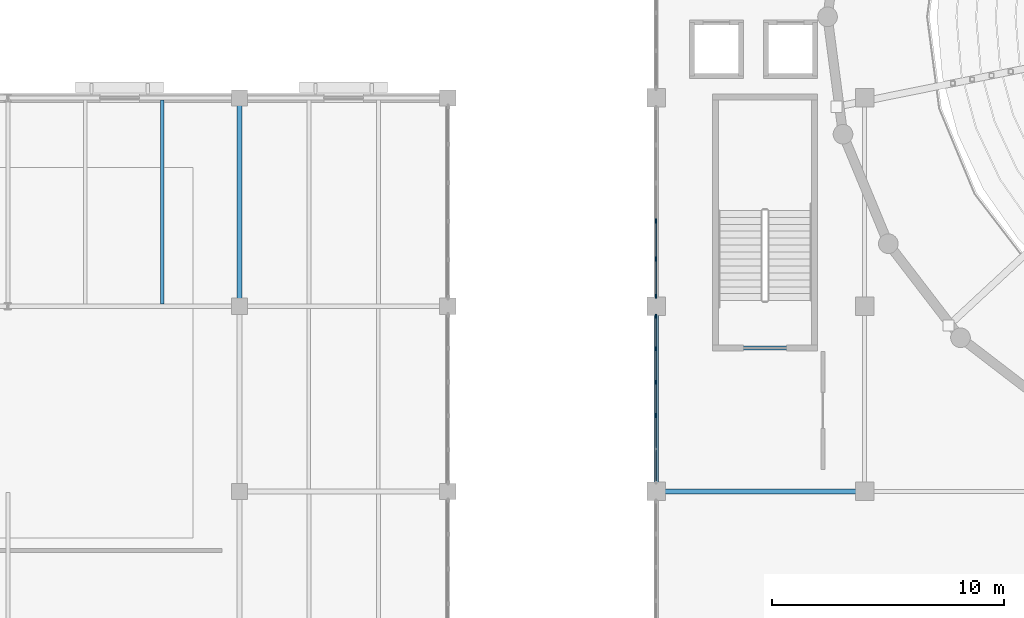
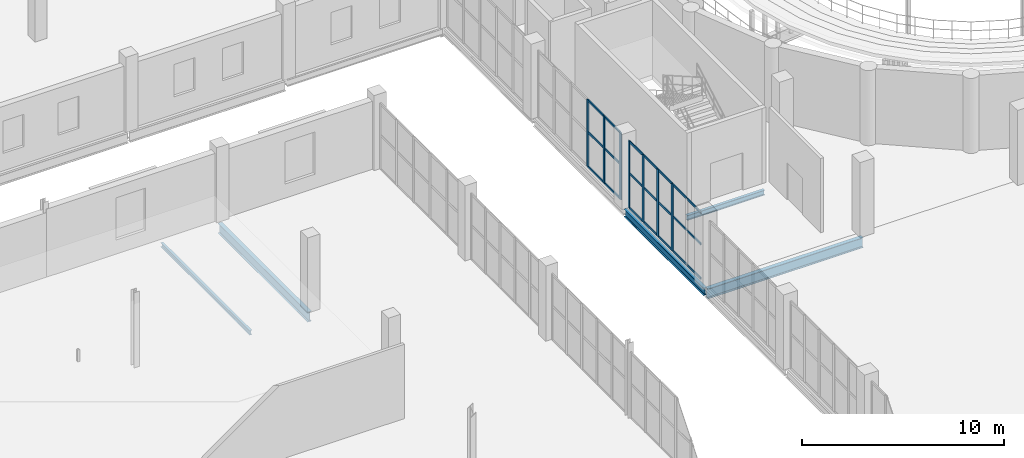
# One storey, part 28 of 93: 28 members, 5 beams, 2 elements without a shape of their own.
"""IFC4 building model written with IfcOpenShell, lengths in metres."""

from ifc_helpers import new_model, si_unit, direction, frame, origin, origin_2d, place, context, subcontext, project, spatial, rectangle, i_section, extrude, material, layer, layer_set, material_profile, profile_set, type_object, element, aggregate, save


model = new_model("IFC4")

# Units and contexts
model_context = context("Model", 3, precision=1e-05, world=origin(), true_north=direction((0.0, 1.0)))
body_context = subcontext(model_context, "Body", "Model", "MODEL_VIEW")
ifc_project = project(units=[si_unit("LENGTHUNIT", "METRE"), si_unit("AREAUNIT", "SQUARE_METRE"), si_unit("VOLUMEUNIT", "CUBIC_METRE"), si_unit("PLANEANGLEUNIT", "RADIAN"), si_unit("MASSUNIT", "GRAM", prefix="KILO")], contexts=[model_context])

# Site, building, storey
site_placement = place(None, origin())
site = spatial("IfcSite", under=ifc_project, at=site_placement, CompositionType="ELEMENT")
building_placement = place(site_placement, origin())
building = spatial("IfcBuilding", under=site, at=building_placement, Name="Marnock Terrace Opera House", CompositionType="ELEMENT")
storey_placement = place(building_placement, frame((0.0, 0.0, 5.39990234375)))
storey = spatial("IfcBuildingStorey", under=building, at=storey_placement, Name="L01", CompositionType="ELEMENT", Elevation=5.39990234375)

# Beams
ifc_material_1 = material(Name="Steel Grade 350 (AS/NZS 3679.1)", Category="steel")
ifc_material_profile_1 = material_profile(ifc_material_1, i_section(OverallWidth=0.18994140625, OverallDepth=0.45751953125, WebThickness=0.009033203125, FlangeThickness=0.014404296875, FilletRadius=0.011474609375, at=origin_2d()))
ifc_profile_set_1 = profile_set([ifc_material_profile_1], Name="Steel Grade 350 (AS/NZS 3679.1)")
beam_type_1 = type_object("IfcBeamType", Name="BM-GIRD-460B", PredefinedType="BEAM", material=ifc_profile_set_1)
beam_1_placement = place(storey_placement, frame((55.0, 40.050048828125, -0.508544921875), z_axis=(0.0, 1.0, 0.0), x_axis=(-1.0, 0.0, 0.0)))
element("IfcBeam", 1, at=beam_1_placement, inside=storey, type_object=beam_type_1, Name="L01 girder (X=55.0, 40.0..48.0)", PredefinedType="BEAM", context=body_context, shape_type="SweptSolid", body=[
    extrude(i_section(OverallWidth=0.18994140625, OverallDepth=0.45751953125, WebThickness=0.009033203125, FlangeThickness=0.014404296875, FilletRadius=0.011474609375, at=origin_2d()), origin(), (0.0, 0.0, 1.0), 7.89990234375),
])
ifc_material_profile_2 = material_profile(ifc_material_1, i_section(OverallWidth=0.22900390625, OverallDepth=0.611572265625, WebThickness=0.011962890625, FlangeThickness=0.01953125, FilletRadius=0.013916015625, at=origin_2d()))
ifc_profile_set_2 = profile_set([ifc_material_profile_2], Name="Steel Grade 350 (AS/NZS 3679.1)")
beam_type_2 = type_object("IfcBeamType", Name="BM-GIRD-610A", PredefinedType="BEAM", material=ifc_profile_set_2)
beam_2_placement = place(storey_placement, frame((55.050048828125, 40.0, -0.585693359375), z_axis=(1.0, 0.0, 0.0), x_axis=(0.0, 1.0, 0.0)))
element("IfcBeam", 2, at=beam_2_placement, inside=storey, type_object=beam_type_2, Name="L01 girder (55.0..64.0, Y=40.0)", PredefinedType="BEAM", context=body_context, shape_type="SweptSolid", body=[
    extrude(i_section(OverallWidth=0.22900390625, OverallDepth=0.611572265625, WebThickness=0.011962890625, FlangeThickness=0.01953125, FilletRadius=0.013916015625, at=origin_2d()), origin(), (0.0, 0.0, 1.0), 8.89990234375),
])
ifc_material_profile_3 = material_profile(ifc_material_1, i_section(OverallWidth=0.22802734375, OverallDepth=0.60205078125, WebThickness=0.010498046875, FlangeThickness=0.014892578125, FilletRadius=0.013916015625, at=origin_2d()))
ifc_profile_set_3 = profile_set([ifc_material_profile_3], Name="Steel Grade 350 (AS/NZS 3679.1)")
beam_type_3 = type_object("IfcBeamType", Name="BM-GIRD-610C", PredefinedType="BEAM", material=ifc_profile_set_3)
beam_3_placement = place(storey_placement, frame((37.0, 48.050048828125, -0.580810546875), z_axis=(0.0, 1.0, 0.0), x_axis=(-1.0, 0.0, 0.0)))
element("IfcBeam", 3, at=beam_3_placement, inside=storey, type_object=beam_type_3, Name="L01 girder (X=37.0, 48.0..57.0)", PredefinedType="BEAM", context=body_context, shape_type="SweptSolid", body=[
    extrude(i_section(OverallWidth=0.22802734375, OverallDepth=0.60205078125, WebThickness=0.010498046875, FlangeThickness=0.014892578125, FilletRadius=0.013916015625, at=origin_2d()), origin(), (0.0, 0.0, 1.0), 8.89990234375),
])
ifc_material_profile_4 = material_profile(ifc_material_1, i_section(OverallWidth=0.14599609375, OverallDepth=0.256103515625, WebThickness=0.00634765625, FlangeThickness=0.010986328125, FilletRadius=0.0087890625, at=origin_2d()))
ifc_profile_set_4 = profile_set([ifc_material_profile_4], Name="Steel Grade 350 (AS/NZS 3679.1)")
beam_type_4 = type_object("IfcBeamType", Name="BM-JOIST-250", PredefinedType="JOIST", material=ifc_profile_set_4)
beam_4_placement = place(storey_placement, frame((33.666748046875, 48.090576171875, -0.407958984375), z_axis=(0.0, 1.0, 0.0), x_axis=(-1.0, 0.0, 0.0)))
element("IfcBeam", 4, at=beam_4_placement, inside=storey, type_object=beam_type_4, Name="L01 secondary joist 3.6.2", PredefinedType="JOIST", context=body_context, shape_type="SweptSolid", body=[
    extrude(i_section(OverallWidth=0.14599609375, OverallDepth=0.256103515625, WebThickness=0.00634765625, FlangeThickness=0.010986328125, FilletRadius=0.0087890625, at=origin_2d()), origin(), (0.0, 0.0, 1.0), 8.825439453125),
])
ifc_material_profile_5 = material_profile(ifc_material_1, i_section(OverallWidth=0.166015625, OverallDepth=0.30712890625, WebThickness=0.006591796875, FlangeThickness=0.01171875, FilletRadius=0.011474609375, at=origin_2d()))
ifc_profile_set_5 = profile_set([ifc_material_profile_5], Name="Steel Grade 350 (AS/NZS 3679.1)")
beam_type_5 = type_object("IfcBeamType", Name="BM-LINT-310", PredefinedType="LINTEL", material=ifc_profile_set_5)
beam_5_placement = place(storey_placement, frame((57.47998046875, 46.199951171875, -0.6298828125), z_axis=(1.0, 0.0, 0.0), x_axis=(0.0, 1.0, 0.0)))
element("IfcBeam", 5, at=beam_5_placement, inside=storey, type_object=beam_type_5, Name="L00 Core C1 coupling lintel", PredefinedType="LINTEL", context=body_context, shape_type="SweptSolid", body=[
    extrude(i_section(OverallWidth=0.166015625, OverallDepth=0.30712890625, WebThickness=0.006591796875, FlangeThickness=0.01171875, FilletRadius=0.011474609375, at=origin_2d()), origin(), (0.0, 0.0, 1.0), 4.43994140625),
])

# Curtain wall, members
ifc_material_2 = material(Name="Anodised architectural bronze aluminium framing", Category="aluminium")
ifc_layer_1 = layer(ifc_material_2, 0.159912109375)
ifc_layer_set_1 = layer_set([ifc_layer_1], Name="Anodised architectural bronze aluminium framing")
curtain_wall_type_1 = type_object("IfcCurtainWallType", Name="CW-FOYER-80x45", PredefinedType="NOTDEFINED", material=ifc_layer_set_1)
curtain_wall_1_placement = place(storey_placement, origin())
curtain_wall_1 = element("IfcCurtainWall", 6, at=curtain_wall_1_placement, inside=storey, type_object=curtain_wall_type_1, Name="L01 glazed Beaux-Arts colonnade curtain wall CW-V1W-L01-05", PredefinedType="NOTDEFINED")
ifc_material_profile_6 = material_profile(ifc_material_2, rectangle(XDim=0.06494140625, YDim=0.179931640625, at=origin_2d()))
ifc_profile_set_6 = profile_set([ifc_material_profile_6], Name="Anodised architectural bronze aluminium framing")
member_type_1 = type_object("IfcMemberType", Name="CWM-65x180", PredefinedType="MULLION", material=ifc_profile_set_6)
member_1_placement = place(storey_placement, frame((55.0, 43.279296875, 0.0), z_axis=(0.0, 0.0, 1.0), x_axis=(-1.0, 0.0, 0.0)))
member_1 = element("IfcMember", 7, at=member_1_placement, type_object=member_type_1, Name="CW-87 mullion 3", PredefinedType="MULLION", context=body_context, shape_type="SweptSolid", body=[
    extrude(rectangle(XDim=0.06494140625, YDim=0.179931640625, at=origin_2d()), origin(), (0.0, 0.0, 1.0), 4.052734375),
])
member_2_placement = place(storey_placement, frame((55.0, 44.720703125, 0.0), z_axis=(0.0, 0.0, 1.0), x_axis=(-1.0, 0.0, 0.0)))
member_2 = element("IfcMember", 8, at=member_2_placement, type_object=member_type_1, Name="CW-87 mullion 4", PredefinedType="MULLION", context=body_context, shape_type="SweptSolid", body=[
    extrude(rectangle(XDim=0.06494140625, YDim=0.179931640625, at=origin_2d()), origin(), (0.0, 0.0, 1.0), 4.052734375),
])
member_3_placement = place(storey_placement, frame((55.0, 46.162353515625, 0.0), z_axis=(0.0, 0.0, 1.0), x_axis=(-1.0, 0.0, 0.0)))
member_3 = element("IfcMember", 9, at=member_3_placement, type_object=member_type_1, Name="CW-87 mullion 5", PredefinedType="MULLION", context=body_context, shape_type="SweptSolid", body=[
    extrude(rectangle(XDim=0.06494140625, YDim=0.179931640625, at=origin_2d()), origin(), (0.0, 0.0, 1.0), 4.052734375),
])
member_4_placement = place(storey_placement, frame((55.0, 47.573974609375, 0.0), z_axis=(0.0, 0.0, 1.0), x_axis=(-1.0, 0.0, 0.0)))
member_4 = element("IfcMember", 10, at=member_4_placement, type_object=member_type_1, Name="CW-87 mullion 6", PredefinedType="MULLION", context=body_context, shape_type="SweptSolid", body=[
    extrude(rectangle(XDim=0.06494140625, YDim=0.179931640625, at=origin_2d()), origin(), (0.0, 0.0, 1.0), 4.052734375),
])

ifc_layer_2 = layer(ifc_material_2, 0.159912109375)
ifc_layer_set_2 = layer_set([ifc_layer_2], Name="Anodised architectural bronze aluminium framing")
curtain_wall_type_2 = type_object("IfcCurtainWallType", Name="CW-FOYER-90x45", PredefinedType="NOTDEFINED", material=ifc_layer_set_2)
curtain_wall_2_placement = place(storey_placement, origin())
curtain_wall_2 = element("IfcCurtainWall", 11, at=curtain_wall_2_placement, inside=storey, type_object=curtain_wall_type_2, Name="L01 glazed Beaux-Arts colonnade curtain wall CW-V1W-L01-06", PredefinedType="NOTDEFINED")
member_5_placement = place(storey_placement, frame((55.0, 48.426025390625, 0.0), z_axis=(0.0, 0.0, 1.0), x_axis=(-1.0, 0.0, 0.0)))
member_5 = element("IfcMember", 12, at=member_5_placement, type_object=member_type_1, Name="CW-27 mullion 1", PredefinedType="MULLION", context=body_context, shape_type="SweptSolid", body=[
    extrude(rectangle(XDim=0.06494140625, YDim=0.179931640625, at=origin_2d()), origin(), (0.0, 0.0, 1.0), 4.052734375),
])
member_6_placement = place(storey_placement, frame((55.0, 50.03759765625, 0.0), z_axis=(0.0, 0.0, 1.0), x_axis=(-1.0, 0.0, 0.0)))
member_6 = element("IfcMember", 13, at=member_6_placement, type_object=member_type_1, Name="CW-27 mullion 2", PredefinedType="MULLION", context=body_context, shape_type="SweptSolid", body=[
    extrude(rectangle(XDim=0.06494140625, YDim=0.179931640625, at=origin_2d()), origin(), (0.0, 0.0, 1.0), 4.052734375),
])
member_7_placement = place(storey_placement, frame((55.0, 51.67919921875, 0.0), z_axis=(0.0, 0.0, 1.0), x_axis=(-1.0, 0.0, 0.0)))
member_7 = element("IfcMember", 14, at=member_7_placement, type_object=member_type_1, Name="CW-27 mullion 3", PredefinedType="MULLION", context=body_context, shape_type="SweptSolid", body=[
    extrude(rectangle(XDim=0.06494140625, YDim=0.179931640625, at=origin_2d()), origin(), (0.0, 0.0, 1.0), 4.052734375),
])

# Member
ifc_material_profile_7 = material_profile(ifc_material_2, rectangle(XDim=0.06005859375, YDim=0.1298828125, at=origin_2d()))
ifc_profile_set_7 = profile_set([ifc_material_profile_7], Name="Anodised architectural bronze aluminium framing")
member_type_2 = type_object("IfcMemberType", Name="CWT-60x130", PredefinedType="USERDEFINED", material=ifc_profile_set_7)
member_8_placement = place(storey_placement, frame((55.0, 40.4560546875, 0.030029296875), z_axis=(0.0, 1.0, 0.0), x_axis=(-1.0, 0.0, 0.0)))
member_8 = element("IfcMember", 15, at=member_8_placement, type_object=member_type_2, Name="CW-87 transom 1.1", ObjectType="TRANSOM", PredefinedType="USERDEFINED", context=body_context, shape_type="SweptSolid", body=[
    extrude(rectangle(XDim=0.06005859375, YDim=0.1298828125, at=origin_2d()), origin(), (0.0, 0.0, 1.0), 1.3515625),
])

member_9_placement = place(storey_placement, frame((55.0, 40.4560546875, 2.107421875), z_axis=(0.0, 1.0, 0.0), x_axis=(-1.0, 0.0, 0.0)))
member_9 = element("IfcMember", 16, at=member_9_placement, type_object=member_type_2, Name="CW-87 transom 1.2", ObjectType="TRANSOM", PredefinedType="USERDEFINED", context=body_context, shape_type="SweptSolid", body=[
    extrude(rectangle(XDim=0.06005859375, YDim=0.1298828125, at=origin_2d()), origin(), (0.0, 0.0, 1.0), 1.3515625),
])

member_10_placement = place(storey_placement, frame((55.0, 40.4560546875, 4.022705078125), z_axis=(0.0, 1.0, 0.0), x_axis=(-1.0, 0.0, 0.0)))
member_10 = element("IfcMember", 17, at=member_10_placement, type_object=member_type_2, Name="CW-87 transom 1.3", ObjectType="TRANSOM", PredefinedType="USERDEFINED", context=body_context, shape_type="SweptSolid", body=[
    extrude(rectangle(XDim=0.06005859375, YDim=0.1298828125, at=origin_2d()), origin(), (0.0, 0.0, 1.0), 1.3515625),
])

member_11_placement = place(storey_placement, frame((55.0, 41.86767578125, 0.030029296875), z_axis=(0.0, 1.0, 0.0), x_axis=(-1.0, 0.0, 0.0)))
member_11 = element("IfcMember", 18, at=member_11_placement, type_object=member_type_2, Name="CW-87 transom 2.1", ObjectType="TRANSOM", PredefinedType="USERDEFINED", context=body_context, shape_type="SweptSolid", body=[
    extrude(rectangle(XDim=0.06005859375, YDim=0.1298828125, at=origin_2d()), origin(), (0.0, 0.0, 1.0), 1.381591796875),
])

member_12_placement = place(storey_placement, frame((55.0, 41.86767578125, 2.107421875), z_axis=(0.0, 1.0, 0.0), x_axis=(-1.0, 0.0, 0.0)))
member_12 = element("IfcMember", 19, at=member_12_placement, type_object=member_type_2, Name="CW-87 transom 2.2", ObjectType="TRANSOM", PredefinedType="USERDEFINED", context=body_context, shape_type="SweptSolid", body=[
    extrude(rectangle(XDim=0.06005859375, YDim=0.1298828125, at=origin_2d()), origin(), (0.0, 0.0, 1.0), 1.381591796875),
])

member_13_placement = place(storey_placement, frame((55.0, 41.86767578125, 4.022705078125), z_axis=(0.0, 1.0, 0.0), x_axis=(-1.0, 0.0, 0.0)))
member_13 = element("IfcMember", 20, at=member_13_placement, type_object=member_type_2, Name="CW-87 transom 2.3", ObjectType="TRANSOM", PredefinedType="USERDEFINED", context=body_context, shape_type="SweptSolid", body=[
    extrude(rectangle(XDim=0.06005859375, YDim=0.1298828125, at=origin_2d()), origin(), (0.0, 0.0, 1.0), 1.381591796875),
])

member_14_placement = place(storey_placement, frame((55.0, 43.30908203125, 0.030029296875), z_axis=(0.0, 1.0, 0.0), x_axis=(-1.0, 0.0, 0.0)))
member_14 = element("IfcMember", 21, at=member_14_placement, type_object=member_type_2, Name="CW-87 transom 3.1", ObjectType="TRANSOM", PredefinedType="USERDEFINED", context=body_context, shape_type="SweptSolid", body=[
    extrude(rectangle(XDim=0.06005859375, YDim=0.1298828125, at=origin_2d()), origin(), (0.0, 0.0, 1.0), 1.3818359375),
])

member_15_placement = place(storey_placement, frame((55.0, 43.30908203125, 2.107421875), z_axis=(0.0, 1.0, 0.0), x_axis=(-1.0, 0.0, 0.0)))
member_15 = element("IfcMember", 22, at=member_15_placement, type_object=member_type_2, Name="CW-87 transom 3.2", ObjectType="TRANSOM", PredefinedType="USERDEFINED", context=body_context, shape_type="SweptSolid", body=[
    extrude(rectangle(XDim=0.06005859375, YDim=0.1298828125, at=origin_2d()), origin(), (0.0, 0.0, 1.0), 1.3818359375),
])

member_16_placement = place(storey_placement, frame((55.0, 43.30908203125, 4.022705078125), z_axis=(0.0, 1.0, 0.0), x_axis=(-1.0, 0.0, 0.0)))
member_16 = element("IfcMember", 23, at=member_16_placement, type_object=member_type_2, Name="CW-87 transom 3.3", ObjectType="TRANSOM", PredefinedType="USERDEFINED", context=body_context, shape_type="SweptSolid", body=[
    extrude(rectangle(XDim=0.06005859375, YDim=0.1298828125, at=origin_2d()), origin(), (0.0, 0.0, 1.0), 1.3818359375),
])

member_17_placement = place(storey_placement, frame((55.0, 44.750732421875, 0.030029296875), z_axis=(0.0, 1.0, 0.0), x_axis=(-1.0, 0.0, 0.0)))
member_17 = element("IfcMember", 24, at=member_17_placement, type_object=member_type_2, Name="CW-87 transom 4.1", ObjectType="TRANSOM", PredefinedType="USERDEFINED", context=body_context, shape_type="SweptSolid", body=[
    extrude(rectangle(XDim=0.06005859375, YDim=0.1298828125, at=origin_2d()), origin(), (0.0, 0.0, 1.0), 1.381591796875),
])

member_18_placement = place(storey_placement, frame((55.0, 44.750732421875, 2.107421875), z_axis=(0.0, 1.0, 0.0), x_axis=(-1.0, 0.0, 0.0)))
member_18 = element("IfcMember", 25, at=member_18_placement, type_object=member_type_2, Name="CW-87 transom 4.2", ObjectType="TRANSOM", PredefinedType="USERDEFINED", context=body_context, shape_type="SweptSolid", body=[
    extrude(rectangle(XDim=0.06005859375, YDim=0.1298828125, at=origin_2d()), origin(), (0.0, 0.0, 1.0), 1.381591796875),
])

member_19_placement = place(storey_placement, frame((55.0, 44.750732421875, 4.022705078125), z_axis=(0.0, 1.0, 0.0), x_axis=(-1.0, 0.0, 0.0)))
member_19 = element("IfcMember", 26, at=member_19_placement, type_object=member_type_2, Name="CW-87 transom 4.3", ObjectType="TRANSOM", PredefinedType="USERDEFINED", context=body_context, shape_type="SweptSolid", body=[
    extrude(rectangle(XDim=0.06005859375, YDim=0.1298828125, at=origin_2d()), origin(), (0.0, 0.0, 1.0), 1.381591796875),
])

member_20_placement = place(storey_placement, frame((55.0, 46.1923828125, 0.030029296875), z_axis=(0.0, 1.0, 0.0), x_axis=(-1.0, 0.0, 0.0)))
member_20 = element("IfcMember", 27, at=member_20_placement, type_object=member_type_2, Name="CW-87 transom 5.1", ObjectType="TRANSOM", PredefinedType="USERDEFINED", context=body_context, shape_type="SweptSolid", body=[
    extrude(rectangle(XDim=0.06005859375, YDim=0.1298828125, at=origin_2d()), origin(), (0.0, 0.0, 1.0), 1.3515625),
])

member_21_placement = place(storey_placement, frame((55.0, 46.1923828125, 2.107421875), z_axis=(0.0, 1.0, 0.0), x_axis=(-1.0, 0.0, 0.0)))
member_21 = element("IfcMember", 28, at=member_21_placement, type_object=member_type_2, Name="CW-87 transom 5.2", ObjectType="TRANSOM", PredefinedType="USERDEFINED", context=body_context, shape_type="SweptSolid", body=[
    extrude(rectangle(XDim=0.06005859375, YDim=0.1298828125, at=origin_2d()), origin(), (0.0, 0.0, 1.0), 1.3515625),
])

member_22_placement = place(storey_placement, frame((55.0, 46.1923828125, 4.022705078125), z_axis=(0.0, 1.0, 0.0), x_axis=(-1.0, 0.0, 0.0)))
member_22 = element("IfcMember", 29, at=member_22_placement, type_object=member_type_2, Name="CW-87 transom 5.3", ObjectType="TRANSOM", PredefinedType="USERDEFINED", context=body_context, shape_type="SweptSolid", body=[
    extrude(rectangle(XDim=0.06005859375, YDim=0.1298828125, at=origin_2d()), origin(), (0.0, 0.0, 1.0), 1.3515625),
])

aggregate(curtain_wall_1, [member_1, member_2, member_3, member_4, member_8, member_9, member_10, member_11, member_12, member_13, member_14, member_15, member_16, member_17, member_18, member_19, member_20, member_21, member_22])

member_23_placement = place(storey_placement, frame((55.0, 48.4560546875, 0.030029296875), z_axis=(0.0, 1.0, 0.0), x_axis=(-1.0, 0.0, 0.0)))
member_23 = element("IfcMember", 30, at=member_23_placement, type_object=member_type_2, Name="CW-27 transom 1.1", ObjectType="TRANSOM", PredefinedType="USERDEFINED", context=body_context, shape_type="SweptSolid", body=[
    extrude(rectangle(XDim=0.06005859375, YDim=0.1298828125, at=origin_2d()), origin(), (0.0, 0.0, 1.0), 1.551513671875),
])

member_24_placement = place(storey_placement, frame((55.0, 48.4560546875, 2.107421875), z_axis=(0.0, 1.0, 0.0), x_axis=(-1.0, 0.0, 0.0)))
member_24 = element("IfcMember", 31, at=member_24_placement, type_object=member_type_2, Name="CW-27 transom 1.2", ObjectType="TRANSOM", PredefinedType="USERDEFINED", context=body_context, shape_type="SweptSolid", body=[
    extrude(rectangle(XDim=0.06005859375, YDim=0.1298828125, at=origin_2d()), origin(), (0.0, 0.0, 1.0), 1.551513671875),
])

member_25_placement = place(storey_placement, frame((55.0, 48.4560546875, 4.022705078125), z_axis=(0.0, 1.0, 0.0), x_axis=(-1.0, 0.0, 0.0)))
member_25 = element("IfcMember", 32, at=member_25_placement, type_object=member_type_2, Name="CW-27 transom 1.3", ObjectType="TRANSOM", PredefinedType="USERDEFINED", context=body_context, shape_type="SweptSolid", body=[
    extrude(rectangle(XDim=0.06005859375, YDim=0.1298828125, at=origin_2d()), origin(), (0.0, 0.0, 1.0), 1.551513671875),
])

member_26_placement = place(storey_placement, frame((55.0, 50.067626953125, 0.030029296875), z_axis=(0.0, 1.0, 0.0), x_axis=(-1.0, 0.0, 0.0)))
member_26 = element("IfcMember", 33, at=member_26_placement, type_object=member_type_2, Name="CW-27 transom 2.1", ObjectType="TRANSOM", PredefinedType="USERDEFINED", context=body_context, shape_type="SweptSolid", body=[
    extrude(rectangle(XDim=0.06005859375, YDim=0.1298828125, at=origin_2d()), origin(), (0.0, 0.0, 1.0), 1.58154296875),
])

member_27_placement = place(storey_placement, frame((55.0, 50.067626953125, 2.107421875), z_axis=(0.0, 1.0, 0.0), x_axis=(-1.0, 0.0, 0.0)))
member_27 = element("IfcMember", 34, at=member_27_placement, type_object=member_type_2, Name="CW-27 transom 2.2", ObjectType="TRANSOM", PredefinedType="USERDEFINED", context=body_context, shape_type="SweptSolid", body=[
    extrude(rectangle(XDim=0.06005859375, YDim=0.1298828125, at=origin_2d()), origin(), (0.0, 0.0, 1.0), 1.58154296875),
])

member_28_placement = place(storey_placement, frame((55.0, 50.067626953125, 4.022705078125), z_axis=(0.0, 1.0, 0.0), x_axis=(-1.0, 0.0, 0.0)))
member_28 = element("IfcMember", 35, at=member_28_placement, type_object=member_type_2, Name="CW-27 transom 2.3", ObjectType="TRANSOM", PredefinedType="USERDEFINED", context=body_context, shape_type="SweptSolid", body=[
    extrude(rectangle(XDim=0.06005859375, YDim=0.1298828125, at=origin_2d()), origin(), (0.0, 0.0, 1.0), 1.58154296875),
])

aggregate(curtain_wall_2, [member_5, member_6, member_7, member_23, member_24, member_25, member_26, member_27, member_28])

save(model, "model.ifc")
